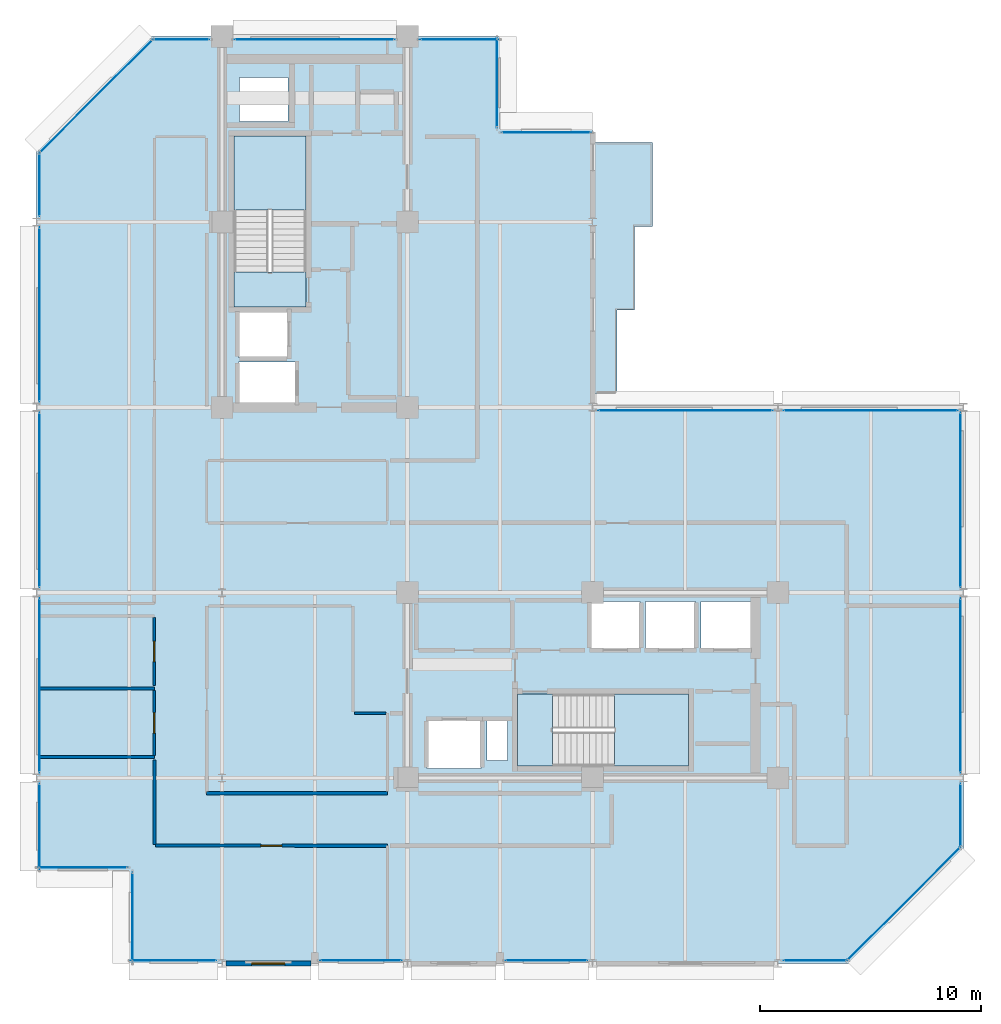
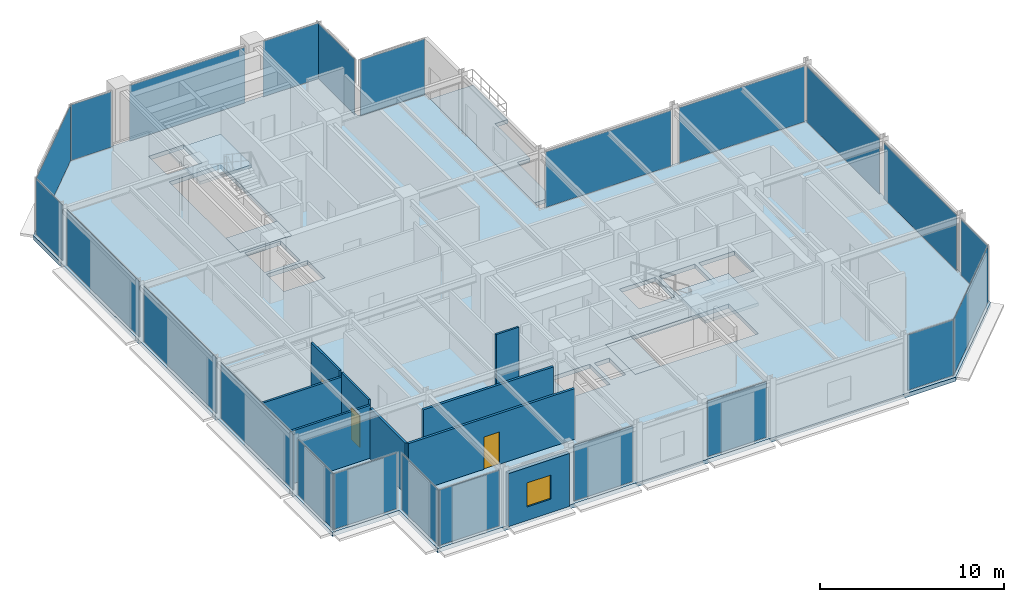
# One storey, part 19 of 26: 23 plates, 9 walls, 6 slabs, 3 doors, 1 window, 4 openings, 25 elements without a shape of their own.
"""IFC4 building model written with IfcOpenShell, lengths in metres."""

from ifc_helpers import new_model, si_unit, direction, frame, frame_2d, origin, origin_2d, place, context, subcontext, project, spatial, polyline, rectangle, outline, extrude, material, layer, layer_set, type_object, element, fill, aggregate, save


model = new_model("IFC4")

# Units and contexts
model_context = context("Model", 3, precision=1e-05, world=origin(), true_north=direction((0.0, 1.0)))
body_context = subcontext(model_context, "Body", "Model", "MODEL_VIEW")
ifc_project = project(units=[si_unit("LENGTHUNIT", "METRE"), si_unit("AREAUNIT", "SQUARE_METRE"), si_unit("VOLUMEUNIT", "CUBIC_METRE"), si_unit("PLANEANGLEUNIT", "RADIAN"), si_unit("MASSUNIT", "GRAM", prefix="KILO")], contexts=[model_context])

# Site, building, storey
site_placement = place(None, origin())
site = spatial("IfcSite", under=ifc_project, at=site_placement, CompositionType="ELEMENT")
building_placement = place(site_placement, origin())
building = spatial("IfcBuilding", under=site, at=building_placement, Name="Nerrivon Quay Data Exchange", CompositionType="ELEMENT")
storey_placement = place(building_placement, frame((0.0, 0.0, 228.800048828125)))
storey = spatial("IfcBuildingStorey", under=building, at=storey_placement, Name="L54", CompositionType="ELEMENT", Elevation=228.800048828125)

# Curtain wall, plate
ifc_material_1 = material(Name="Anodised aluminium 6063-T6", Category="aluminium")
ifc_layer_1 = layer(ifc_material_1, 0.195068359375)
ifc_layer_set_1 = layer_set([ifc_layer_1], Name="Anodised aluminium 6063-T6")
curtain_wall_type = type_object("IfcCurtainWallType", Name="CW-SYS-06", PredefinedType="NOTDEFINED", material=ifc_layer_set_1)
curtain_wall_1_placement = place(storey_placement, origin())
curtain_wall_1 = element("IfcCurtainWall", 1, at=curtain_wall_1_placement, inside=storey, type_object=curtain_wall_type, Name="L54 Unitised Curtain Wall 1", PredefinedType="NOTDEFINED")
ifc_material_2 = material(Name="Double-glazed low-E solar control glass", Category="glass")
ifc_layer_2 = layer(ifc_material_2, 0.028076171875)
ifc_layer_set_2 = layer_set([ifc_layer_2], Name="Double-glazed low-E solar control glass")
plate_type = type_object("IfcPlateType", Name="CWP-GLZ-28", PredefinedType="CURTAIN_PANEL", material=ifc_layer_set_2)
plate_1_placement = place(storey_placement, frame((39.301025390625, 2.698974609375, 0.06494140625), z_axis=(0.0, 0.0, 1.0), x_axis=(-0.707106781187, -0.707106781187, 0.0)))
plate_1 = element("IfcPlate", 2, at=plate_1_placement, type_object=plate_type, Name="CW06 panel 1.1", PredefinedType="CURTAIN_PANEL", context=body_context, shape_type="SweptSolid", body=[
    extrude(rectangle(XDim=7.203857421875, YDim=0.028076171875, at=origin_2d()), origin(), (0.0, 0.0, 1.0), 3.695068359375),
])
aggregate(curtain_wall_1, [plate_1])

curtain_wall_2_placement = place(storey_placement, origin())
curtain_wall_2 = element("IfcCurtainWall", 3, at=curtain_wall_2_placement, inside=storey, type_object=curtain_wall_type, Name="L54 Unitised Curtain Wall 2", PredefinedType="NOTDEFINED")
plate_2_placement = place(storey_placement, frame((35.28759765625, 0.139892578125, 0.06494140625), z_axis=(0.0, 0.0, 1.0), x_axis=(-1.0, 0.0, 0.0)))
plate_2 = element("IfcPlate", 4, at=plate_2_placement, type_object=plate_type, Name="CW06 panel 1.1", PredefinedType="CURTAIN_PANEL", context=body_context, shape_type="SweptSolid", body=[
    extrude(rectangle(XDim=2.875, YDim=0.028076171875, at=origin_2d()), origin(), (0.0, 0.0, 1.0), 3.695068359375),
])
aggregate(curtain_wall_2, [plate_2])

curtain_wall_3_placement = place(storey_placement, origin())
curtain_wall_3 = element("IfcCurtainWall", 5, at=curtain_wall_3_placement, inside=storey, type_object=curtain_wall_type, Name="L54 Unitised Curtain Wall 4", PredefinedType="NOTDEFINED")
plate_3_placement = place(storey_placement, frame((23.10009765625, 0.139892578125, 0.06494140625), z_axis=(0.0, 0.0, 1.0), x_axis=(-1.0, 0.0, 0.0)))
plate_3 = element("IfcPlate", 6, at=plate_3_placement, type_object=plate_type, Name="CW06 panel 1.1", PredefinedType="CURTAIN_PANEL", context=body_context, shape_type="SweptSolid", body=[
    extrude(rectangle(XDim=3.699951171875, YDim=0.028076171875, at=origin_2d()), origin(), (0.0, 0.0, 1.0), 3.695068359375),
])
aggregate(curtain_wall_3, [plate_3])

curtain_wall_4_placement = place(storey_placement, origin())
curtain_wall_4 = element("IfcCurtainWall", 7, at=curtain_wall_4_placement, inside=storey, type_object=curtain_wall_type, Name="L54 Unitised Curtain Wall 6", PredefinedType="NOTDEFINED")
plate_4_placement = place(storey_placement, frame((14.699951171875, 0.139892578125, 0.06494140625), z_axis=(0.0, 0.0, 1.0), x_axis=(-1.0, 0.0, 0.0)))
plate_4 = element("IfcPlate", 8, at=plate_4_placement, type_object=plate_type, Name="CW06 panel 1.1", PredefinedType="CURTAIN_PANEL", context=body_context, shape_type="SweptSolid", body=[
    extrude(rectangle(XDim=3.699951171875, YDim=0.028076171875, at=origin_2d()), origin(), (0.0, 0.0, 1.0), 3.695068359375),
])
aggregate(curtain_wall_4, [plate_4])

curtain_wall_5_placement = place(storey_placement, origin())
curtain_wall_5 = element("IfcCurtainWall", 9, at=curtain_wall_5_placement, inside=storey, type_object=curtain_wall_type, Name="L54 Unitised Curtain Wall 8", PredefinedType="NOTDEFINED")
plate_5_placement = place(storey_placement, frame((6.21240234375, 0.139892578125, 0.06494140625), z_axis=(0.0, 0.0, 1.0), x_axis=(-1.0, 0.0, 0.0)))
plate_5 = element("IfcPlate", 10, at=plate_5_placement, type_object=plate_type, Name="CW06 panel 1.1", PredefinedType="CURTAIN_PANEL", context=body_context, shape_type="SweptSolid", body=[
    extrude(rectangle(XDim=3.875, YDim=0.028076171875, at=origin_2d()), origin(), (0.0, 0.0, 1.0), 3.695068359375),
])
aggregate(curtain_wall_5, [plate_5])

curtain_wall_6_placement = place(storey_placement, origin())
curtain_wall_6 = element("IfcCurtainWall", 11, at=curtain_wall_6_placement, inside=storey, type_object=curtain_wall_type, Name="L54 Unitised Curtain Wall 9", PredefinedType="NOTDEFINED")
plate_6_placement = place(storey_placement, frame((4.340087890625, 2.10009765625, 0.06494140625), z_axis=(0.0, 0.0, 1.0), x_axis=(0.0, 1.0, 0.0)))
plate_6 = element("IfcPlate", 12, at=plate_6_placement, type_object=plate_type, Name="CW06 panel 1.1", PredefinedType="CURTAIN_PANEL", context=body_context, shape_type="SweptSolid", body=[
    extrude(rectangle(XDim=4.050048828125, YDim=0.028076171875, at=origin_2d()), origin(), (0.0, 0.0, 1.0), 3.695068359375),
])
aggregate(curtain_wall_6, [plate_6])

curtain_wall_7_placement = place(storey_placement, origin())
curtain_wall_7 = element("IfcCurtainWall", 13, at=curtain_wall_7_placement, inside=storey, type_object=curtain_wall_type, Name="L54 Unitised Curtain Wall 10", PredefinedType="NOTDEFINED")
plate_7_placement = place(storey_placement, frame((2.10009765625, 4.340087890625, 0.06494140625), z_axis=(0.0, 0.0, 1.0), x_axis=(-1.0, 0.0, 0.0)))
plate_7 = element("IfcPlate", 14, at=plate_7_placement, type_object=plate_type, Name="CW06 panel 1.1", PredefinedType="CURTAIN_PANEL", context=body_context, shape_type="SweptSolid", body=[
    extrude(rectangle(XDim=4.050048828125, YDim=0.028076171875, at=origin_2d()), origin(), (0.0, 0.0, 1.0), 3.695068359375),
])
aggregate(curtain_wall_7, [plate_7])

curtain_wall_8_placement = place(storey_placement, origin())
curtain_wall_8 = element("IfcCurtainWall", 15, at=curtain_wall_8_placement, inside=storey, type_object=curtain_wall_type, Name="L54 Unitised Curtain Wall 11", PredefinedType="NOTDEFINED")
plate_8_placement = place(storey_placement, frame((0.139892578125, 6.21240234375, 0.06494140625), z_axis=(0.0, 0.0, 1.0), x_axis=(0.0, 1.0, 0.0)))
plate_8 = element("IfcPlate", 16, at=plate_8_placement, type_object=plate_type, Name="CW06 panel 1.1", PredefinedType="CURTAIN_PANEL", context=body_context, shape_type="SweptSolid", body=[
    extrude(rectangle(XDim=3.875, YDim=0.028076171875, at=origin_2d()), origin(), (0.0, 0.0, 1.0), 3.695068359375),
])
aggregate(curtain_wall_8, [plate_8])

curtain_wall_9_placement = place(storey_placement, origin())
curtain_wall_9 = element("IfcCurtainWall", 17, at=curtain_wall_9_placement, inside=storey, type_object=curtain_wall_type, Name="L54 Unitised Curtain Wall 12", PredefinedType="NOTDEFINED")
plate_9_placement = place(storey_placement, frame((0.139892578125, 12.60009765625, 0.06494140625), z_axis=(0.0, 0.0, 1.0), x_axis=(0.0, 1.0, 0.0)))
plate_9 = element("IfcPlate", 18, at=plate_9_placement, type_object=plate_type, Name="CW06 panel 1.1", PredefinedType="CURTAIN_PANEL", context=body_context, shape_type="SweptSolid", body=[
    extrude(rectangle(XDim=7.89990234375, YDim=0.028076171875, at=origin_2d()), origin(), (0.0, 0.0, 1.0), 3.695068359375),
])
aggregate(curtain_wall_9, [plate_9])

curtain_wall_10_placement = place(storey_placement, origin())
curtain_wall_10 = element("IfcCurtainWall", 19, at=curtain_wall_10_placement, inside=storey, type_object=curtain_wall_type, Name="L54 Unitised Curtain Wall 13", PredefinedType="NOTDEFINED")
plate_10_placement = place(storey_placement, frame((0.139892578125, 21.0, 0.06494140625), z_axis=(0.0, 0.0, 1.0), x_axis=(0.0, 1.0, 0.0)))
plate_10 = element("IfcPlate", 20, at=plate_10_placement, type_object=plate_type, Name="CW06 panel 1.1", PredefinedType="CURTAIN_PANEL", context=body_context, shape_type="SweptSolid", body=[
    extrude(rectangle(XDim=7.89990234375, YDim=0.028076171875, at=origin_2d()), origin(), (0.0, 0.0, 1.0), 3.695068359375),
])
aggregate(curtain_wall_10, [plate_10])

curtain_wall_11_placement = place(storey_placement, origin())
curtain_wall_11 = element("IfcCurtainWall", 21, at=curtain_wall_11_placement, inside=storey, type_object=curtain_wall_type, Name="L54 Unitised Curtain Wall 14", PredefinedType="NOTDEFINED")
plate_11_placement = place(storey_placement, frame((0.139892578125, 29.39990234375, 0.06494140625), z_axis=(0.0, 0.0, 1.0), x_axis=(0.0, 1.0, 0.0)))
plate_11 = element("IfcPlate", 22, at=plate_11_placement, type_object=plate_type, Name="CW06 panel 1.1", PredefinedType="CURTAIN_PANEL", context=body_context, shape_type="SweptSolid", body=[
    extrude(rectangle(XDim=7.89990234375, YDim=0.028076171875, at=origin_2d()), origin(), (0.0, 0.0, 1.0), 3.695068359375),
])
aggregate(curtain_wall_11, [plate_11])

curtain_wall_12_placement = place(storey_placement, origin())
curtain_wall_12 = element("IfcCurtainWall", 23, at=curtain_wall_12_placement, inside=storey, type_object=curtain_wall_type, Name="L54 Unitised Curtain Wall 15", PredefinedType="NOTDEFINED")
plate_12_placement = place(storey_placement, frame((0.139892578125, 35.28759765625, 0.06494140625), z_axis=(0.0, 0.0, 1.0), x_axis=(0.0, 1.0, 0.0)))
plate_12 = element("IfcPlate", 24, at=plate_12_placement, type_object=plate_type, Name="CW06 panel 1.1", PredefinedType="CURTAIN_PANEL", context=body_context, shape_type="SweptSolid", body=[
    extrude(rectangle(XDim=2.875, YDim=0.028076171875, at=origin_2d()), origin(), (0.0, 0.0, 1.0), 3.695068359375),
])
aggregate(curtain_wall_12, [plate_12])

curtain_wall_13_placement = place(storey_placement, origin())
curtain_wall_13 = element("IfcCurtainWall", 25, at=curtain_wall_13_placement, inside=storey, type_object=curtain_wall_type, Name="L54 Unitised Curtain Wall 16", PredefinedType="NOTDEFINED")
plate_13_placement = place(storey_placement, frame((2.698974609375, 39.301025390625, 0.06494140625), z_axis=(0.0, 0.0, 1.0), x_axis=(0.707106781187, 0.707106781187, 0.0)))
plate_13 = element("IfcPlate", 26, at=plate_13_placement, type_object=plate_type, Name="CW06 panel 1.1", PredefinedType="CURTAIN_PANEL", context=body_context, shape_type="SweptSolid", body=[
    extrude(rectangle(XDim=7.203857421875, YDim=0.028076171875, at=origin_2d()), origin(), (0.0, 0.0, 1.0), 3.695068359375),
])
aggregate(curtain_wall_13, [plate_13])

curtain_wall_14_placement = place(storey_placement, origin())
curtain_wall_14 = element("IfcCurtainWall", 27, at=curtain_wall_14_placement, inside=storey, type_object=curtain_wall_type, Name="L54 Unitised Curtain Wall 17", PredefinedType="NOTDEFINED")
plate_14_placement = place(storey_placement, frame((6.550048828125, 41.860107421875, 0.06494140625), z_axis=(0.0, 0.0, 1.0), x_axis=(1.0, 0.0, 0.0)))
plate_14 = element("IfcPlate", 28, at=plate_14_placement, type_object=plate_type, Name="CW06 panel 1.1", PredefinedType="CURTAIN_PANEL", context=body_context, shape_type="SweptSolid", body=[
    extrude(rectangle(XDim=2.550048828125, YDim=0.028076171875, at=origin_2d()), origin(), (0.0, 0.0, 1.0), 3.695068359375),
])
aggregate(curtain_wall_14, [plate_14])

curtain_wall_15_placement = place(storey_placement, origin())
curtain_wall_15 = element("IfcCurtainWall", 29, at=curtain_wall_15_placement, inside=storey, type_object=curtain_wall_type, Name="L54 Unitised Curtain Wall 18", PredefinedType="NOTDEFINED")
plate_15_placement = place(storey_placement, frame((12.60009765625, 41.860107421875, 0.06494140625), z_axis=(0.0, 0.0, 1.0), x_axis=(1.0, 0.0, 0.0)))
plate_15 = element("IfcPlate", 30, at=plate_15_placement, type_object=plate_type, Name="CW06 panel 1.1", PredefinedType="CURTAIN_PANEL", context=body_context, shape_type="SweptSolid", body=[
    extrude(rectangle(XDim=7.25, YDim=0.028076171875, at=origin_2d()), origin(), (0.0, 0.0, 1.0), 3.695068359375),
])
aggregate(curtain_wall_15, [plate_15])

curtain_wall_16_placement = place(storey_placement, origin())
curtain_wall_16 = element("IfcCurtainWall", 31, at=curtain_wall_16_placement, inside=storey, type_object=curtain_wall_type, Name="L54 Unitised Curtain Wall 19", PredefinedType="NOTDEFINED")
plate_16_placement = place(storey_placement, frame((19.14990234375, 41.860107421875, 0.06494140625), z_axis=(0.0, 0.0, 1.0), x_axis=(1.0, 0.0, 0.0)))
plate_16 = element("IfcPlate", 32, at=plate_16_placement, type_object=plate_type, Name="CW06 panel 1.1", PredefinedType="CURTAIN_PANEL", context=body_context, shape_type="SweptSolid", body=[
    extrude(rectangle(XDim=3.550048828125, YDim=0.028076171875, at=origin_2d()), origin(), (0.0, 0.0, 1.0), 3.695068359375),
])
aggregate(curtain_wall_16, [plate_16])

curtain_wall_17_placement = place(storey_placement, origin())
curtain_wall_17 = element("IfcCurtainWall", 33, at=curtain_wall_17_placement, inside=storey, type_object=curtain_wall_type, Name="L54 Unitised Curtain Wall 20", PredefinedType="NOTDEFINED")
plate_17_placement = place(storey_placement, frame((20.860107421875, 39.89990234375, 0.06494140625), z_axis=(0.0, 0.0, 1.0), x_axis=(0.0, -1.0, 0.0)))
plate_17 = element("IfcPlate", 34, at=plate_17_placement, type_object=plate_type, Name="CW06 panel 1.1", PredefinedType="CURTAIN_PANEL", context=body_context, shape_type="SweptSolid", body=[
    extrude(rectangle(XDim=4.050048828125, YDim=0.028076171875, at=origin_2d()), origin(), (0.0, 0.0, 1.0), 3.695068359375),
])
aggregate(curtain_wall_17, [plate_17])

curtain_wall_18_placement = place(storey_placement, origin())
curtain_wall_18 = element("IfcCurtainWall", 35, at=curtain_wall_18_placement, inside=storey, type_object=curtain_wall_type, Name="L54 Unitised Curtain Wall 21", PredefinedType="NOTDEFINED")
plate_18_placement = place(storey_placement, frame((23.10009765625, 37.659912109375, 0.06494140625), z_axis=(0.0, 0.0, 1.0), x_axis=(1.0, 0.0, 0.0)))
plate_18 = element("IfcPlate", 36, at=plate_18_placement, type_object=plate_type, Name="CW06 panel 1.1", PredefinedType="CURTAIN_PANEL", context=body_context, shape_type="SweptSolid", body=[
    extrude(rectangle(XDim=4.050048828125, YDim=0.028076171875, at=origin_2d()), origin(), (0.0, 0.0, 1.0), 3.695068359375),
])
aggregate(curtain_wall_18, [plate_18])

curtain_wall_19_placement = place(storey_placement, origin())
curtain_wall_19 = element("IfcCurtainWall", 37, at=curtain_wall_19_placement, inside=storey, type_object=curtain_wall_type, Name="L54 Unitised Curtain Wall 24", PredefinedType="NOTDEFINED")
plate_19_placement = place(storey_placement, frame((29.39990234375, 25.06005859375, 0.06494140625), z_axis=(0.0, 0.0, 1.0), x_axis=(1.0, 0.0, 0.0)))
plate_19 = element("IfcPlate", 38, at=plate_19_placement, type_object=plate_type, Name="CW06 panel 1.1", PredefinedType="CURTAIN_PANEL", context=body_context, shape_type="SweptSolid", body=[
    extrude(rectangle(XDim=7.89990234375, YDim=0.028076171875, at=origin_2d()), origin(), (0.0, 0.0, 1.0), 3.695068359375),
])
aggregate(curtain_wall_19, [plate_19])

curtain_wall_20_placement = place(storey_placement, origin())
curtain_wall_20 = element("IfcCurtainWall", 39, at=curtain_wall_20_placement, inside=storey, type_object=curtain_wall_type, Name="L54 Unitised Curtain Wall 25", PredefinedType="NOTDEFINED")
plate_20_placement = place(storey_placement, frame((37.800048828125, 25.06005859375, 0.06494140625), z_axis=(0.0, 0.0, 1.0), x_axis=(1.0, 0.0, 0.0)))
plate_20 = element("IfcPlate", 40, at=plate_20_placement, type_object=plate_type, Name="CW06 panel 1.1", PredefinedType="CURTAIN_PANEL", context=body_context, shape_type="SweptSolid", body=[
    extrude(rectangle(XDim=7.89990234375, YDim=0.028076171875, at=origin_2d()), origin(), (0.0, 0.0, 1.0), 3.695068359375),
])
aggregate(curtain_wall_20, [plate_20])

curtain_wall_21_placement = place(storey_placement, origin())
curtain_wall_21 = element("IfcCurtainWall", 41, at=curtain_wall_21_placement, inside=storey, type_object=curtain_wall_type, Name="L54 Unitised Curtain Wall 26", PredefinedType="NOTDEFINED")
plate_21_placement = place(storey_placement, frame((41.860107421875, 21.0, 0.06494140625), z_axis=(0.0, 0.0, 1.0), x_axis=(0.0, -1.0, 0.0)))
plate_21 = element("IfcPlate", 42, at=plate_21_placement, type_object=plate_type, Name="CW06 panel 1.1", PredefinedType="CURTAIN_PANEL", context=body_context, shape_type="SweptSolid", body=[
    extrude(rectangle(XDim=7.89990234375, YDim=0.028076171875, at=origin_2d()), origin(), (0.0, 0.0, 1.0), 3.695068359375),
])
aggregate(curtain_wall_21, [plate_21])

curtain_wall_22_placement = place(storey_placement, origin())
curtain_wall_22 = element("IfcCurtainWall", 43, at=curtain_wall_22_placement, inside=storey, type_object=curtain_wall_type, Name="L54 Unitised Curtain Wall 27", PredefinedType="NOTDEFINED")
plate_22_placement = place(storey_placement, frame((41.860107421875, 12.60009765625, 0.06494140625), z_axis=(0.0, 0.0, 1.0), x_axis=(0.0, -1.0, 0.0)))
plate_22 = element("IfcPlate", 44, at=plate_22_placement, type_object=plate_type, Name="CW06 panel 1.1", PredefinedType="CURTAIN_PANEL", context=body_context, shape_type="SweptSolid", body=[
    extrude(rectangle(XDim=7.89990234375, YDim=0.028076171875, at=origin_2d()), origin(), (0.0, 0.0, 1.0), 3.695068359375),
])
aggregate(curtain_wall_22, [plate_22])

curtain_wall_23_placement = place(storey_placement, origin())
curtain_wall_23 = element("IfcCurtainWall", 45, at=curtain_wall_23_placement, inside=storey, type_object=curtain_wall_type, Name="L54 Unitised Curtain Wall 28", PredefinedType="NOTDEFINED")
plate_23_placement = place(storey_placement, frame((41.860107421875, 6.71240234375, 0.06494140625), z_axis=(0.0, 0.0, 1.0), x_axis=(0.0, -1.0, 0.0)))
plate_23 = element("IfcPlate", 46, at=plate_23_placement, type_object=plate_type, Name="CW06 panel 1.1", PredefinedType="CURTAIN_PANEL", context=body_context, shape_type="SweptSolid", body=[
    extrude(rectangle(XDim=2.875, YDim=0.028076171875, at=origin_2d()), origin(), (0.0, 0.0, 1.0), 3.695068359375),
])
aggregate(curtain_wall_23, [plate_23])

# Slab
ifc_material_3 = material(Name="Precast white architectural concrete N50 (50 MPa)", Category="concrete")
ifc_layer_3 = layer(ifc_material_3, 0.25)
ifc_layer_set_3 = layer_set([ifc_layer_3], Name="Precast white architectural concrete N50 (50 MPa)")
slab_type_1 = type_object("IfcSlabType", Name="SLB-BAL-250", PredefinedType="FLOOR", material=ifc_layer_set_3)
slab_1_placement = place(storey_placement, frame((0.0, 0.0, -0.25)))
element("IfcSlab", 47, at=slab_1_placement, inside=storey, type_object=slab_type_1, Name="L54 Waterfront Subtropical Verandah", PredefinedType="FLOOR", context=body_context, shape_type="SweptSolid", body=[
    extrude(outline(polyline([(26.300048828125, 29.60009765625), (27.10009765625, 29.60009765625), (27.10009765625, 33.39990234375), (27.89990234375, 33.39990234375), (27.89990234375, 37.199951171875), (25.199951171875, 37.199951171875), (25.199951171875, 33.39990234375), (25.199951171875, 29.60009765625), (25.199951171875, 25.800048828125), (26.300048828125, 25.800048828125), (26.300048828125, 29.60009765625)])), origin(), (0.0, 0.0, 1.0), 0.25),
])

# Stair, slab
ifc_material_4 = material(Name="Concrete N50 (50 MPa)", Category="concrete")
stair_type = type_object("IfcStairType", Name="STAIR-DOG-41", PredefinedType="HALF_TURN_STAIR", material=ifc_material_4)
stair_1_placement = place(storey_placement, origin())
stair_1 = element("IfcStair", 48, at=stair_1_placement, inside=storey, type_object=stair_type, Name="L54 West Core Fire Stair ST01", PredefinedType="HALF_TURN_STAIR")
ifc_layer_4 = layer(ifc_material_4, 0.199951171875)
ifc_layer_set_4 = layer_set([ifc_layer_4], Name="Concrete N50 (50 MPa)")
slab_type_2 = type_object("IfcSlabType", Name="SLB-LAND-200", PredefinedType="LANDING", material=ifc_layer_set_4)
slab_2_placement = place(storey_placement, frame((0.0, 0.0, 1.849853515625)))
slab_2 = element("IfcSlab", 49, at=slab_2_placement, type_object=slab_type_2, Name="ST01 landing 1", PredefinedType="LANDING", context=body_context, shape_type="SweptSolid", body=[
    extrude(outline(polyline([(12.199951171875, 34.1298828125), (12.199951171875, 37.5), (8.949951171875, 37.5), (8.949951171875, 34.1298828125), (12.199951171875, 34.1298828125)])), origin(), (0.0, 0.0, 1.0), 0.2001953125),
])
aggregate(stair_1, [slab_2])

# Slab
slab_3_placement = place(storey_placement, frame((0.0, 0.0, -0.199951171875)))
element("IfcSlab", 50, at=slab_3_placement, inside=storey, type_object=slab_type_2, Name="L54 ST01 floor landing", PredefinedType="LANDING", context=body_context, shape_type="SweptSolid", body=[
    extrude(outline(polyline([(12.199951171875, 29.75), (12.199951171875, 31.330078125), (8.949951171875, 31.330078125), (8.949951171875, 29.75), (12.199951171875, 29.75)])), origin(), (0.0, 0.0, 1.0), 0.199951171875),
])

# Stair, slab
stair_2_placement = place(storey_placement, origin())
stair_2 = element("IfcStair", 51, at=stair_2_placement, inside=storey, type_object=stair_type, Name="L54 East Core Fire Stair ST02", PredefinedType="HALF_TURN_STAIR")
slab_4_placement = place(storey_placement, frame((0.0, 0.0, 1.849853515625)))
slab_4 = element("IfcSlab", 52, at=slab_4_placement, type_object=slab_type_2, Name="ST02 landing 1", PredefinedType="LANDING", context=body_context, shape_type="SweptSolid", body=[
    extrude(outline(polyline([(26.179931640625, 8.949951171875), (29.550048828125, 8.949951171875), (29.550048828125, 12.199951171875), (26.179931640625, 12.199951171875), (26.179931640625, 8.949951171875)])), origin(), (0.0, 0.0, 1.0), 0.2001953125),
])
aggregate(stair_2, [slab_4])

# Slabs
slab_5_placement = place(storey_placement, frame((0.0, 0.0, -0.199951171875)))
element("IfcSlab", 53, at=slab_5_placement, inside=storey, type_object=slab_type_2, Name="L54 ST02 floor landing", PredefinedType="LANDING", context=body_context, shape_type="SweptSolid", body=[
    extrude(outline(polyline([(21.800048828125, 8.949951171875), (23.3798828125, 8.949951171875), (23.3798828125, 12.199951171875), (21.800048828125, 12.199951171875), (21.800048828125, 8.949951171875)])), origin(), (0.0, 0.0, 1.0), 0.199951171875),
])
ifc_layer_5 = layer(ifc_material_4, 0.27490234375)
ifc_layer_set_5 = layer_set([ifc_layer_5], Name="Concrete N50 (50 MPa)")
slab_type_3 = type_object("IfcSlabType", Name="SLB-TOW-275", PredefinedType="FLOOR", material=ifc_layer_set_5)
slab_6_placement = place(storey_placement, frame((0.0, 0.0, -0.275146484375)))
element("IfcSlab", 54, at=slab_6_placement, inside=storey, type_object=slab_type_3, Name="L54 Primary Structural Slab", PredefinedType="FLOOR", context=body_context, shape_type="SweptSolid", body=[
    extrude(outline(polyline([(42.0, 25.199951171875), (25.199951171875, 25.199951171875), (25.199951171875, 37.800048828125), (21.0, 37.800048828125), (21.0, 42.0), (5.199951171875, 42.0), (0.0, 36.800048828125), (0.0, 4.199951171875), (4.199951171875, 4.199951171875), (4.199951171875, 0.0), (36.800048828125, 0.0), (42.0, 5.199951171875), (42.0, 25.199951171875)]), holes=[polyline([(8.949951171875, 29.75), (8.949951171875, 37.5), (12.199951171875, 37.5), (12.199951171875, 29.75), (8.949951171875, 29.75)]), polyline([(21.800048828125, 12.199951171875), (29.550048828125, 12.199951171875), (29.550048828125, 8.949951171875), (21.800048828125, 8.949951171875), (21.800048828125, 12.199951171875)]), polyline([(30.10009765625, 14.25), (30.10009765625, 16.39990234375), (32.35009765625, 16.39990234375), (32.35009765625, 14.25), (30.10009765625, 14.25)]), polyline([(27.60009765625, 14.25), (27.60009765625, 16.39990234375), (29.85009765625, 16.39990234375), (29.85009765625, 14.25), (27.60009765625, 14.25)]), polyline([(25.10009765625, 14.25), (25.10009765625, 16.39990234375), (27.35009765625, 16.39990234375), (27.35009765625, 14.25), (25.10009765625, 14.25)]), polyline([(20.39990234375, 9.199951171875), (20.39990234375, 11.0), (21.35009765625, 11.0), (21.35009765625, 9.199951171875), (20.39990234375, 9.199951171875)]), polyline([(17.699951171875, 8.830078125), (17.699951171875, 11.030029296875), (20.14990234375, 11.030029296875), (20.14990234375, 8.830078125), (17.699951171875, 8.830078125)]), polyline([(9.14990234375, 25.35009765625), (9.14990234375, 27.25), (11.75, 27.25), (11.75, 25.35009765625), (9.14990234375, 25.35009765625)]), polyline([(9.14990234375, 27.449951171875), (9.14990234375, 29.60009765625), (11.39990234375, 29.60009765625), (11.39990234375, 27.449951171875), (9.14990234375, 27.449951171875)]), polyline([(9.199951171875, 38.14990234375), (9.199951171875, 40.14990234375), (11.39990234375, 40.14990234375), (11.39990234375, 38.14990234375), (9.199951171875, 38.14990234375)])]), origin(), (0.0, 0.0, 1.0), 0.275146484375),
])

# Wall, opening, window
ifc_material_5 = material(Name="Architectural terracotta precast concrete N50 (50 MPa)", Category="masonry")
ifc_layer_6 = layer(ifc_material_5, 0.239990234375)
ifc_layer_set_6 = layer_set([ifc_layer_6], Name="Architectural terracotta precast concrete N50 (50 MPa)")
wall_type_1 = type_object("IfcWallType", Name="EW-PREC-240", PredefinedType="STANDARD", material=ifc_layer_set_6)
wall_1_placement = place(storey_placement, frame((12.425048828125, 0.0, 0.0), z_axis=(0.0, 0.0, 1.0), x_axis=(-1.0, 0.0, 0.0)))
wall_1 = element("IfcWall", 55, at=wall_1_placement, inside=storey, type_object=wall_type_1, Name="L54 Podium Precast Spandrel Wall 7", PredefinedType="STANDARD", context=body_context, shape_type="SweptSolid", body=[
    extrude(rectangle(XDim=3.85009765625, YDim=0.239990234375, at=frame_2d((1.925048828125, 0.0))), origin(), (0.0, 0.0, 1.0), 3.52490234375),
])
opening_1_placement = place(wall_1_placement, frame((1.175048828125, 0.0, 0.89990234375)))
opening_1 = element("IfcOpeningElement", 56, at=opening_1_placement, cuts=wall_1, Name="Opening WN4", PredefinedType="OPENING", context=body_context, shape_type="SweptSolid", body=[
    extrude(rectangle(XDim=1.5, YDim=1.60009765625, at=frame_2d((0.75, 0.800048828125))), frame((0.0, 0.1298828125, 0.0), z_axis=(0.0, -1.0, 0.0), x_axis=(1.0, 0.0, 0.0)), (0.0, 0.0, 1.0), 0.260009765625),
])
window_type = type_object("IfcWindowType", Name="WIN-W4-1500x1600", PartitioningType="SINGLE_PANEL", PredefinedType="WINDOW", material=ifc_material_2)
window_placement = place(opening_1_placement, origin())
window = element("IfcWindow", 57, at=window_placement, inside=storey, type_object=window_type, Name="L54 Solar Facade Window 7", OverallHeight=1.60009765625, OverallWidth=1.5, PartitioningType="SINGLE_PANEL", PredefinedType="WINDOW", context=body_context, shape_type="SweptSolid", body=[
    extrude(rectangle(XDim=1.5, YDim=1.60009765625, at=frame_2d((0.75, 0.800048828125))), frame((0.0, 0.030029296875, 0.0), z_axis=(0.0, -1.0, 0.0), x_axis=(1.0, 0.0, 0.0)), (0.0, 0.0, 1.0), 0.06005859375),
])
fill(opening_1, window)

# Wall, opening, door
ifc_material_6 = material(Name="Gypsum plasterboard on cold-formed framing", Category="gypsum")
ifc_layer_7 = layer(ifc_material_6, 0.1201171875)
ifc_layer_set_7 = layer_set([ifc_layer_7], Name="Gypsum plasterboard on cold-formed framing")
wall_type_2 = type_object("IfcWallType", Name="WALL-PT-120", PredefinedType="PARTITIONING", material=ifc_layer_set_7)
wall_2_placement = place(storey_placement, frame((5.340087890625, 9.42138671875, 0.0), z_axis=(0.0, 0.0, 1.0), x_axis=(0.0, 1.0, 0.0)))
wall_2 = element("IfcWall", 58, at=wall_2_placement, inside=storey, type_object=wall_type_2, Name="L54 Partition Accessible Toilet", PredefinedType="PARTITIONING", context=body_context, shape_type="SweptSolid", body=[
    extrude(rectangle(XDim=2.95703125, YDim=0.1201171875, at=frame_2d((1.478515625, 0.0))), origin(), (0.0, 0.0, 1.0), 3.824951171875),
])
opening_2_placement = place(wall_2_placement, frame((1.0185546875, 0.0, 0.0)))
opening_2 = element("IfcOpeningElement", 59, at=opening_2_placement, cuts=wall_2, Name="Opening D-WC", PredefinedType="OPENING", context=body_context, shape_type="SweptSolid", body=[
    extrude(rectangle(XDim=0.919921875, YDim=2.10009765625, at=frame_2d((0.4599609375, 1.050048828125))), frame((0.0, 0.070068359375, 0.0), z_axis=(0.0, -1.0, 0.0), x_axis=(1.0, 0.0, 0.0)), (0.0, 0.0, 1.0), 0.14013671875),
])
ifc_material_7 = material(Name="Engineered hardwood timber", Category="wood")
door_type_1 = type_object("IfcDoorType", Name="DR-WC-920", OperationType="NOTDEFINED", PredefinedType="DOOR", material=ifc_material_7)
door_1_placement = place(opening_2_placement, origin())
door_1 = element("IfcDoor", 60, at=door_1_placement, inside=storey, type_object=door_type_1, Name="L54 Door Accessible Toilet", OperationType="SINGLE_SWING_LEFT", OverallHeight=2.10009765625, OverallWidth=0.919921875, PredefinedType="DOOR", context=body_context, shape_type="SweptSolid", body=[
    extrude(rectangle(XDim=0.919921875, YDim=2.10009765625, at=frame_2d((0.4599609375, 1.050048828125))), frame((0.0, 0.02490234375, 0.0), z_axis=(0.0, -1.0, 0.0), x_axis=(1.0, 0.0, 0.0)), (0.0, 0.0, 1.0), 0.050048828125),
])
fill(opening_2, door_1)

wall_3_placement = place(storey_placement, frame((5.340087890625, 12.60009765625, 0.0), z_axis=(0.0, 0.0, 1.0), x_axis=(0.0, 1.0, 0.0)))
wall_3 = element("IfcWall", 61, at=wall_3_placement, inside=storey, type_object=wall_type_2, Name="L54 Partition Public Washrooms", PredefinedType="PARTITIONING", context=body_context, shape_type="SweptSolid", body=[
    extrude(rectangle(XDim=3.078369140625, YDim=0.1201171875, at=frame_2d((1.5390625, 0.0))), origin(), (0.0, 0.0, 1.0), 3.824951171875),
])
opening_3_placement = place(wall_3_placement, frame((1.079345703125, 0.0, 0.0)))
opening_3 = element("IfcOpeningElement", 62, at=opening_3_placement, cuts=wall_3, Name="Opening D-WC", PredefinedType="OPENING", context=body_context, shape_type="SweptSolid", body=[
    extrude(rectangle(XDim=0.919921875, YDim=2.10009765625, at=frame_2d((0.4599609375, 1.050048828125))), frame((0.0, 0.070068359375, 0.0), z_axis=(0.0, -1.0, 0.0), x_axis=(1.0, 0.0, 0.0)), (0.0, 0.0, 1.0), 0.14013671875),
])
door_2_placement = place(opening_3_placement, origin())
door_2 = element("IfcDoor", 63, at=door_2_placement, inside=storey, type_object=door_type_1, Name="L54 Door Public Washrooms", OperationType="SINGLE_SWING_RIGHT", OverallHeight=2.10009765625, OverallWidth=0.919921875, PredefinedType="DOOR", context=body_context, shape_type="SweptSolid", body=[
    extrude(rectangle(XDim=0.919921875, YDim=2.10009765625, at=frame_2d((0.4599609375, 1.050048828125))), frame((0.0, 0.02490234375, 0.0), z_axis=(0.0, -1.0, 0.0), x_axis=(1.0, 0.0, 0.0)), (0.0, 0.0, 1.0), 0.050048828125),
])
fill(opening_3, door_2)

# Walls
wall_4_placement = place(storey_placement, frame((15.822998046875, 11.340087890625, 0.0), z_axis=(0.0, 0.0, 1.0), x_axis=(-1.0, 0.0, 0.0)))
element("IfcWall", 64, at=wall_4_placement, inside=storey, type_object=wall_type_2, Name="L54 Partition Engineers Lounge", PredefinedType="PARTITIONING", context=body_context, shape_type="SweptSolid", body=[
    extrude(rectangle(XDim=1.423095703125, YDim=0.1201171875, at=frame_2d((0.71142578125, 0.0))), origin(), (0.0, 0.0, 1.0), 3.824951171875),
])
ifc_layer_8 = layer(ifc_material_6, 0.135009765625)
ifc_layer_set_8 = layer_set([ifc_layer_8], Name="Gypsum plasterboard on cold-formed framing")
wall_type_3 = type_object("IfcWallType", Name="WALL-PT-135", PredefinedType="PARTITIONING", material=ifc_layer_set_8)
for number, where, z_axis, x_axis, name in (
    (65, (5.340087890625, 12.449951171875, 0.0), (0.0, 0.0, 1.0), (-1.0, 0.0, 0.0), "L54 Partition Accessible Toilet"),
    (66, (0.1689453125, 9.35009765625, 0.0), (0.0, 0.0, 1.0), (1.0, 0.0, 0.0), "L54 Partition Accessible Toilet"),
):
    element("IfcWall", number, at=place(storey_placement, frame(where, z_axis=z_axis, x_axis=x_axis)), inside=storey, type_object=wall_type_3, Name=name, PredefinedType="PARTITIONING", context=body_context, shape_type="SweptSolid", body=[
        extrude(rectangle(XDim=5.171142578125, YDim=0.135009765625, at=frame_2d((2.58544921875, 0.0))), origin(), (0.0, 0.0, 1.0), 3.51806640625),
    ])
wall_5_placement = place(storey_placement, frame((5.340087890625, 5.39990234375, 0.0), z_axis=(0.0, 0.0, 1.0), x_axis=(0.0, 1.0, 0.0)))
element("IfcWall", 67, at=wall_5_placement, inside=storey, type_object=wall_type_3, Name="L54 Partition Peering Day Lounge", PredefinedType="PARTITIONING", context=body_context, shape_type="SweptSolid", body=[
    extrude(rectangle(XDim=3.830078125, YDim=0.135009765625, at=frame_2d((1.9150390625, 0.0))), origin(), (0.0, 0.0, 1.0), 3.364990234375),
])
ifc_layer_9 = layer(ifc_material_6, 0.14990234375)
ifc_layer_set_9 = layer_set([ifc_layer_9], Name="Gypsum plasterboard on cold-formed framing")
wall_type_4 = type_object("IfcWallType", Name="WALL-PT-150", PredefinedType="PARTITIONING", material=ifc_layer_set_9)
wall_6_placement = place(storey_placement, frame((7.7099609375, 7.7099609375, 0.0), z_axis=(0.0, 0.0, 1.0), x_axis=(1.0, 0.0, 0.0)))
element("IfcWall", 68, at=wall_6_placement, inside=storey, type_object=wall_type_4, Name="L54 Partition Engineers Lounge", PredefinedType="PARTITIONING", context=body_context, shape_type="SweptSolid", body=[
    extrude(rectangle(XDim=8.1845703125, YDim=0.14990234375, at=frame_2d((4.09228515625, 0.0))), origin(), (0.0, 0.0, 1.0), 3.370849609375),
])

# Wall, opening, door
wall_7_placement = place(storey_placement, frame((15.89453125, 5.340087890625, 0.0), z_axis=(0.0, 0.0, 1.0), x_axis=(-0.99999999973, 2.3250407e-05, 0.0)))
wall_7 = element("IfcWall", 69, at=wall_7_placement, inside=storey, type_object=wall_type_4, Name="L54 Partition Peering Day Lounge", PredefinedType="PARTITIONING", context=body_context, shape_type="SweptSolid", body=[
    extrude(rectangle(XDim=10.50048828125, YDim=0.14990234375, at=frame_2d((5.250244140625, 0.0))), origin(), (0.0, 0.0, 1.0), 3.370849609375),
])
opening_4_placement = place(wall_7_placement, frame((4.775390625, 0.0, 0.0)))
opening_4 = element("IfcOpeningElement", 70, at=opening_4_placement, cuts=wall_7, Name="Opening D-01", PredefinedType="OPENING", context=body_context, shape_type="SweptSolid", body=[
    extrude(rectangle(XDim=0.949951171875, YDim=2.14990234375, at=frame_2d((0.47509765625, 1.074951171875))), frame((0.0, 0.0849609375, 0.0), z_axis=(0.0, -1.0, 0.0), x_axis=(1.0, 0.0, 0.0)), (0.0, 0.0, 1.0), 0.169921875),
])
door_type_2 = type_object("IfcDoorType", Name="DR-INT-950", OperationType="NOTDEFINED", PredefinedType="DOOR", material=ifc_material_7)
door_3_placement = place(opening_4_placement, origin())
door_3 = element("IfcDoor", 71, at=door_3_placement, inside=storey, type_object=door_type_2, Name="L54 Door Peering Day Lounge", OperationType="SINGLE_SWING_LEFT", OverallHeight=2.14990234375, OverallWidth=0.949951171875, PredefinedType="DOOR", context=body_context, shape_type="SweptSolid", body=[
    extrude(rectangle(XDim=0.949951171875, YDim=2.14990234375, at=frame_2d((0.47509765625, 1.074951171875))), frame((0.0, 0.02490234375, 0.0), z_axis=(0.0, -1.0, 0.0), x_axis=(1.0, 0.0, 0.0)), (0.0, 0.0, 1.0), 0.050048828125),
])
fill(opening_4, door_3)

save(model, "model.ifc")
